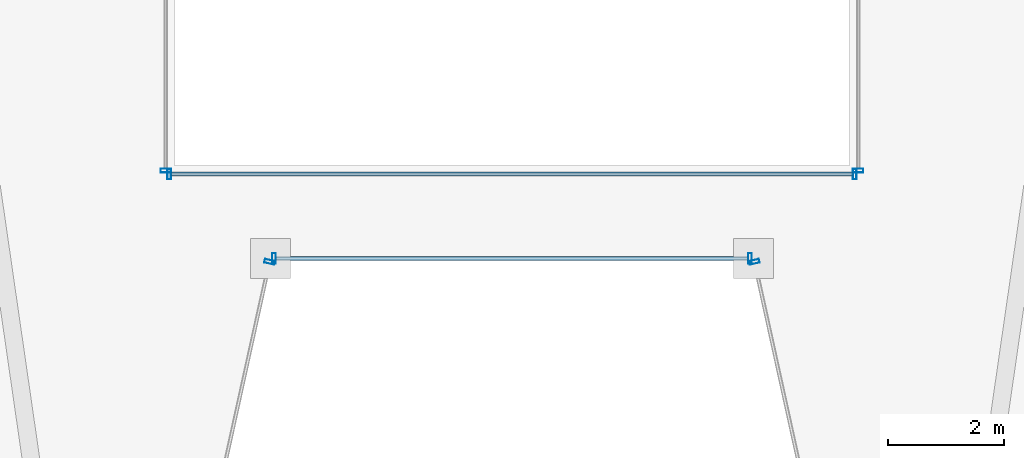
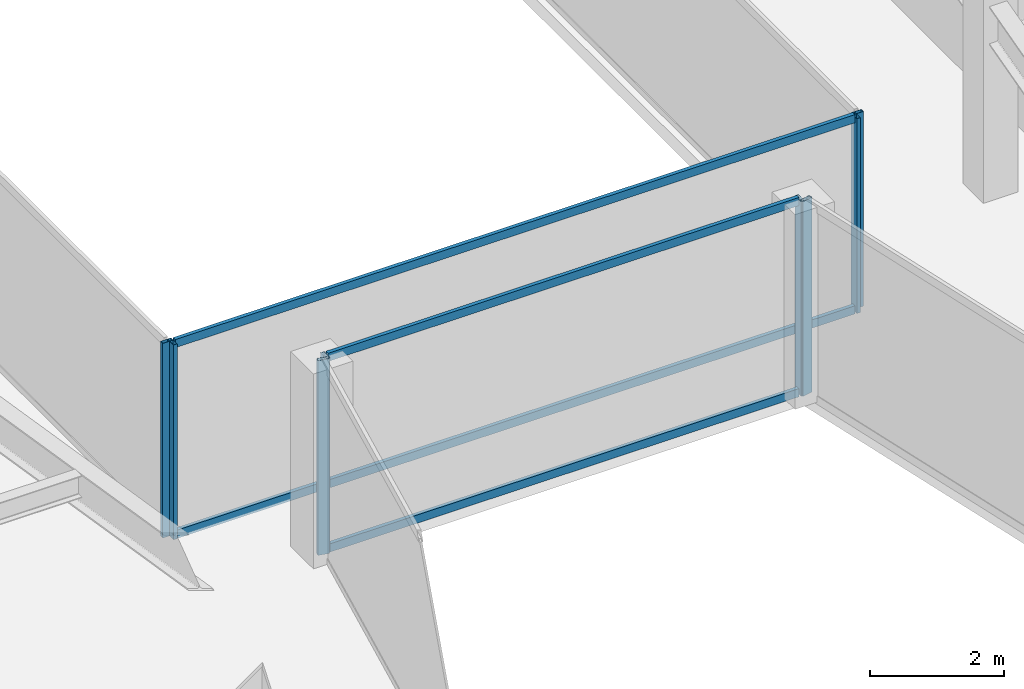
# One storey, part 7 of 37: 12 members, 6 elements without a shape of their own.
"""IFC4 building model written with IfcOpenShell, lengths in metres."""

from ifc_helpers import new_model, si_unit, direction, frame, origin, origin_2d, place, context, subcontext, project, spatial, hollow_rectangle, extrude, material, material_profile, profile_set, type_object, element, aggregate, save


model = new_model("IFC4")

# Units and contexts
model_context = context("Model", 3, precision=1e-05, world=origin(), true_north=direction((0.0, 1.0)))
body_context = subcontext(model_context, "Body", "Model", "MODEL_VIEW")
ifc_project = project(units=[si_unit("LENGTHUNIT", "METRE"), si_unit("AREAUNIT", "SQUARE_METRE"), si_unit("VOLUMEUNIT", "CUBIC_METRE"), si_unit("PLANEANGLEUNIT", "RADIAN"), si_unit("MASSUNIT", "GRAM", prefix="KILO")], contexts=[model_context])

# Site, building, storey
site_placement = place(None, origin())
site = spatial("IfcSite", under=ifc_project, at=site_placement, CompositionType="ELEMENT")
building_placement = place(site_placement, origin())
building = spatial("IfcBuilding", under=site, at=building_placement, Name="Saevonmaru Cultural Tower", CompositionType="ELEMENT")
storey_placement = place(building_placement, frame((0.0, 0.0, 141.0)))
storey = spatial("IfcBuildingStorey", under=building, at=storey_placement, Name="L30", CompositionType="ELEMENT", Elevation=141.0)

# Curtain wall, member
ifc_material = material(Name="Satin Bronze Anodised Aluminium", Category="aluminium")
curtain_wall_type_1 = type_object("IfcCurtainWallType", Name="CW-TYP-A", PredefinedType="NOTDEFINED", material=ifc_material)
curtain_wall_1_placement = place(storey_placement, origin())
curtain_wall_1 = element("IfcCurtainWall", 1, at=curtain_wall_1_placement, inside=storey, type_object=curtain_wall_type_1, Name="L30 Unitised Curtain Wall E3", PredefinedType="NOTDEFINED")
ifc_material_profile_1 = material_profile(ifc_material, hollow_rectangle(XDim=0.06494140625, YDim=0.179931640625, WallThickness=0.00390625, at=origin_2d()), Name="ALU-MULL-180x65x4")
ifc_profile_set_1 = profile_set([ifc_material_profile_1], Name="Satin Bronze Anodised Aluminium")
member_type_1 = type_object("IfcMemberType", Name="ML-CW-180x65", PredefinedType="MULLION", material=ifc_profile_set_1)
member_1_placement = place(storey_placement, frame((25.8359375, 20.741455078125, 0.0), z_axis=(0.0, 0.0, 1.0), x_axis=(0.215413319953, 0.976522965212, 0.0)))
member_1 = element("IfcMember", 2, at=member_1_placement, type_object=member_type_1, Name="CW-TW-L30-E3 mullion 2", PredefinedType="MULLION", context=body_context, shape_type="SweptSolid", body=[
    extrude(hollow_rectangle(XDim=0.06494140625, YDim=0.179931640625, WallThickness=0.00390625, at=origin_2d()), origin(), (0.0, 0.0, 1.0), 3.550048828125),
])
aggregate(curtain_wall_1, [member_1])

# Curtain wall, members
curtain_wall_2_placement = place(storey_placement, origin())
curtain_wall_2 = element("IfcCurtainWall", 3, at=curtain_wall_2_placement, inside=storey, type_object=curtain_wall_type_1, Name="L30 Unitised Curtain Wall E4", PredefinedType="NOTDEFINED")
member_2_placement = place(storey_placement, frame((25.908935546875, 20.800048828125, 0.0), z_axis=(0.0, 0.0, 1.0), x_axis=(1.0, 0.0, 0.0)))
member_2 = element("IfcMember", 4, at=member_2_placement, type_object=member_type_1, Name="CW-TW-L30-E4 mullion 1", PredefinedType="MULLION", context=body_context, shape_type="SweptSolid", body=[
    extrude(hollow_rectangle(XDim=0.06494140625, YDim=0.179931640625, WallThickness=0.00390625, at=origin_2d()), origin(), (0.0, 0.0, 1.0), 3.550048828125),
])
member_3_placement = place(storey_placement, frame((34.091064453125, 20.800048828125, 0.0), z_axis=(0.0, 0.0, 1.0), x_axis=(1.0, 0.0, 0.0)))
member_3 = element("IfcMember", 5, at=member_3_placement, type_object=member_type_1, Name="CW-TW-L30-E4 mullion 2", PredefinedType="MULLION", context=body_context, shape_type="SweptSolid", body=[
    extrude(hollow_rectangle(XDim=0.06494140625, YDim=0.179931640625, WallThickness=0.00390625, at=origin_2d()), origin(), (0.0, 0.0, 1.0), 3.550048828125),
])

# Curtain wall, member
curtain_wall_3_placement = place(storey_placement, origin())
curtain_wall_3 = element("IfcCurtainWall", 6, at=curtain_wall_3_placement, inside=storey, type_object=curtain_wall_type_1, Name="L30 Unitised Curtain Wall E5", PredefinedType="NOTDEFINED")
member_4_placement = place(storey_placement, frame((34.1640625, 20.741455078125, 0.0), z_axis=(0.0, 0.0, 1.0), x_axis=(0.215413319953, -0.976522965212, 0.0)))
member_4 = element("IfcMember", 7, at=member_4_placement, type_object=member_type_1, Name="CW-TW-L30-E5 mullion 1", PredefinedType="MULLION", context=body_context, shape_type="SweptSolid", body=[
    extrude(hollow_rectangle(XDim=0.06494140625, YDim=0.179931640625, WallThickness=0.00390625, at=origin_2d()), origin(), (0.0, 0.0, 1.0), 3.550048828125),
])
aggregate(curtain_wall_3, [member_4])

# Curtain wall, members
curtain_wall_type_2 = type_object("IfcCurtainWallType", Name="CW-ATR-GLZ", PredefinedType="NOTDEFINED", material=ifc_material)
curtain_wall_4_placement = place(storey_placement, origin())
curtain_wall_4 = element("IfcCurtainWall", 8, at=curtain_wall_4_placement, inside=storey, type_object=curtain_wall_type_2, Name="L30 Vertical Atrium Glazed Smoke Screen 1", PredefinedType="NOTDEFINED")
ifc_material_profile_2 = material_profile(ifc_material, hollow_rectangle(XDim=0.06494140625, YDim=0.179931640625, WallThickness=0.00390625, at=origin_2d()), Name="ALU-MULL-180x65x4")
ifc_profile_set_2 = profile_set([ifc_material_profile_2], Name="Satin Bronze Anodised Aluminium")
member_type_2 = type_object("IfcMemberType", Name="ML-CW-INT-180x65", PredefinedType="MULLION", material=ifc_profile_set_2)
member_5_placement = place(storey_placement, frame((24.110107421875, 22.25, 0.0), z_axis=(0.0, 0.0, 1.0), x_axis=(1.0, 0.0, 0.0)))
member_5 = element("IfcMember", 9, at=member_5_placement, type_object=member_type_2, Name="CW-ATR-L30-1 mullion 1", PredefinedType="MULLION", context=body_context, shape_type="SweptSolid", body=[
    extrude(hollow_rectangle(XDim=0.06494140625, YDim=0.179931640625, WallThickness=0.00390625, at=origin_2d()), origin(), (0.0, 0.0, 1.0), 3.550048828125),
])
member_6_placement = place(storey_placement, frame((35.889892578125, 22.25, 0.0), z_axis=(0.0, 0.0, 1.0), x_axis=(1.0, 0.0, 0.0)))
member_6 = element("IfcMember", 10, at=member_6_placement, type_object=member_type_2, Name="CW-ATR-L30-1 mullion 2", PredefinedType="MULLION", context=body_context, shape_type="SweptSolid", body=[
    extrude(hollow_rectangle(XDim=0.06494140625, YDim=0.179931640625, WallThickness=0.00390625, at=origin_2d()), origin(), (0.0, 0.0, 1.0), 3.550048828125),
])

# Curtain wall, member
curtain_wall_5_placement = place(storey_placement, origin())
curtain_wall_5 = element("IfcCurtainWall", 11, at=curtain_wall_5_placement, inside=storey, type_object=curtain_wall_type_2, Name="L30 Vertical Atrium Glazed Smoke Screen 2", PredefinedType="NOTDEFINED")
member_7_placement = place(storey_placement, frame((35.949951171875, 22.31005859375, 0.0), z_axis=(0.0, 0.0, 1.0), x_axis=(0.0, 1.0, 0.0)))
member_7 = element("IfcMember", 12, at=member_7_placement, type_object=member_type_2, Name="CW-ATR-L30-2 mullion 1", PredefinedType="MULLION", context=body_context, shape_type="SweptSolid", body=[
    extrude(hollow_rectangle(XDim=0.06494140625, YDim=0.179931640625, WallThickness=0.00390625, at=origin_2d()), origin(), (0.0, 0.0, 1.0), 3.550048828125),
])
aggregate(curtain_wall_5, [member_7])

curtain_wall_6_placement = place(storey_placement, origin())
curtain_wall_6 = element("IfcCurtainWall", 13, at=curtain_wall_6_placement, inside=storey, type_object=curtain_wall_type_2, Name="L30 Vertical Atrium Glazed Smoke Screen 4", PredefinedType="NOTDEFINED")
member_8_placement = place(storey_placement, frame((24.050048828125, 22.31005859375, 0.0), z_axis=(0.0, 0.0, 1.0), x_axis=(0.0, -1.0, 0.0)))
member_8 = element("IfcMember", 14, at=member_8_placement, type_object=member_type_2, Name="CW-ATR-L30-4 mullion 2", PredefinedType="MULLION", context=body_context, shape_type="SweptSolid", body=[
    extrude(hollow_rectangle(XDim=0.06494140625, YDim=0.179931640625, WallThickness=0.00390625, at=origin_2d()), origin(), (0.0, 0.0, 1.0), 3.550048828125),
])
aggregate(curtain_wall_6, [member_8])

# Member
ifc_material_profile_3 = material_profile(ifc_material, hollow_rectangle(XDim=0.06494140625, YDim=0.14990234375, WallThickness=0.00390625, at=origin_2d()), Name="ALU-TRAN-150x65x4")
ifc_profile_set_3 = profile_set([ifc_material_profile_3], Name="Satin Bronze Anodised Aluminium")
member_type_3 = type_object("IfcMemberType", Name="TR-CW-150x65", PredefinedType="USERDEFINED", material=ifc_profile_set_3)
member_9_placement = place(storey_placement, frame((25.94140625, 20.800048828125, 0.032470703125), z_axis=(1.0, 0.0, 0.0), x_axis=(0.0, 1.0, 0.0)))
member_9 = element("IfcMember", 15, at=member_9_placement, type_object=member_type_3, Name="CW-TW-L30-E4 transom 1.1", ObjectType="TRANSOM", PredefinedType="USERDEFINED", context=body_context, shape_type="SweptSolid", body=[
    extrude(hollow_rectangle(XDim=0.06494140625, YDim=0.14990234375, WallThickness=0.00390625, at=origin_2d()), origin(), (0.0, 0.0, 1.0), 8.1171875),
])

member_10_placement = place(storey_placement, frame((25.94140625, 20.800048828125, 3.517578125), z_axis=(1.0, 0.0, 0.0), x_axis=(0.0, 1.0, 0.0)))
member_10 = element("IfcMember", 16, at=member_10_placement, type_object=member_type_3, Name="CW-TW-L30-E4 transom 1.2", ObjectType="TRANSOM", PredefinedType="USERDEFINED", context=body_context, shape_type="SweptSolid", body=[
    extrude(hollow_rectangle(XDim=0.06494140625, YDim=0.14990234375, WallThickness=0.00390625, at=origin_2d()), origin(), (0.0, 0.0, 1.0), 8.1171875),
])

aggregate(curtain_wall_2, [member_2, member_3, member_9, member_10])

ifc_material_profile_4 = material_profile(ifc_material, hollow_rectangle(XDim=0.06494140625, YDim=0.14990234375, WallThickness=0.00390625, at=origin_2d()), Name="ALU-TRAN-150x65x4")
ifc_profile_set_4 = profile_set([ifc_material_profile_4], Name="Satin Bronze Anodised Aluminium")
member_type_4 = type_object("IfcMemberType", Name="TR-CW-INT-150x65", PredefinedType="USERDEFINED", material=ifc_profile_set_4)
member_11_placement = place(storey_placement, frame((24.142578125, 22.25, 0.032470703125), z_axis=(1.0, 0.0, 0.0), x_axis=(0.0, 1.0, 0.0)))
member_11 = element("IfcMember", 17, at=member_11_placement, type_object=member_type_4, Name="CW-ATR-L30-1 transom 1.1", ObjectType="TRANSOM", PredefinedType="USERDEFINED", context=body_context, shape_type="SweptSolid", body=[
    extrude(hollow_rectangle(XDim=0.06494140625, YDim=0.14990234375, WallThickness=0.00390625, at=origin_2d()), origin(), (0.0, 0.0, 1.0), 11.71484375),
])

member_12_placement = place(storey_placement, frame((24.142578125, 22.25, 3.517578125), z_axis=(1.0, 0.0, 0.0), x_axis=(0.0, 1.0, 0.0)))
member_12 = element("IfcMember", 18, at=member_12_placement, type_object=member_type_4, Name="CW-ATR-L30-1 transom 1.2", ObjectType="TRANSOM", PredefinedType="USERDEFINED", context=body_context, shape_type="SweptSolid", body=[
    extrude(hollow_rectangle(XDim=0.06494140625, YDim=0.14990234375, WallThickness=0.00390625, at=origin_2d()), origin(), (0.0, 0.0, 1.0), 11.71484375),
])

aggregate(curtain_wall_4, [member_5, member_6, member_11, member_12])

save(model, "model.ifc")
